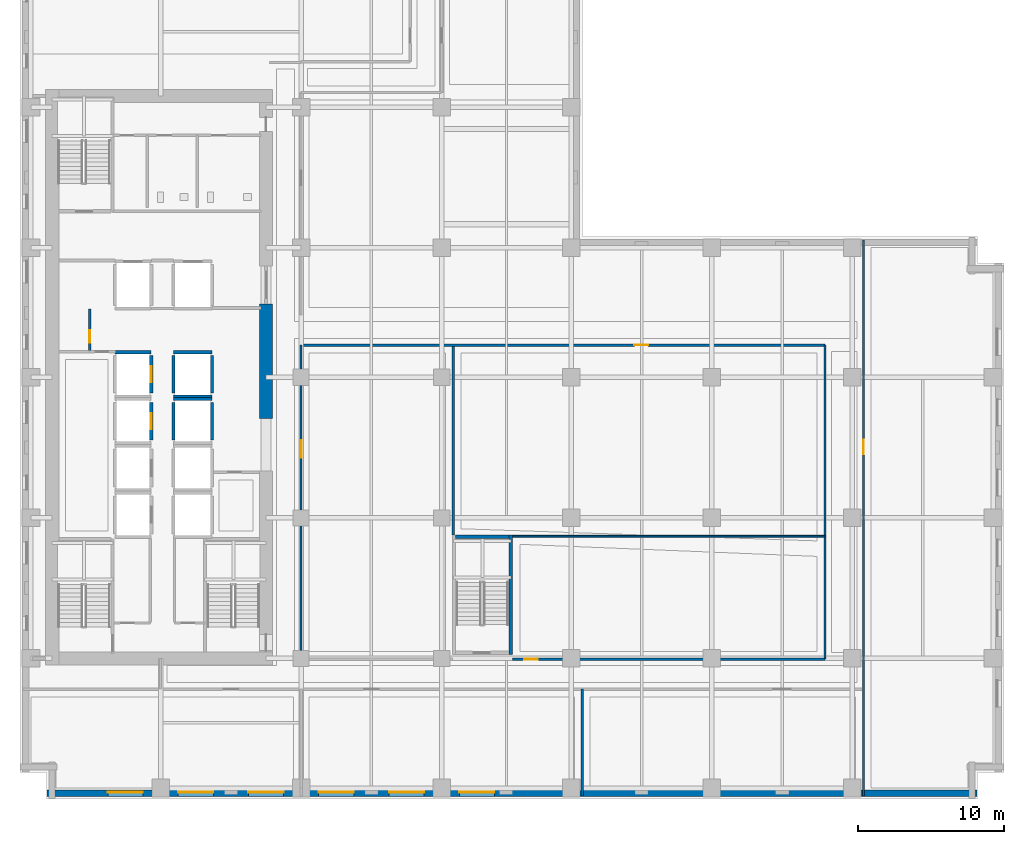
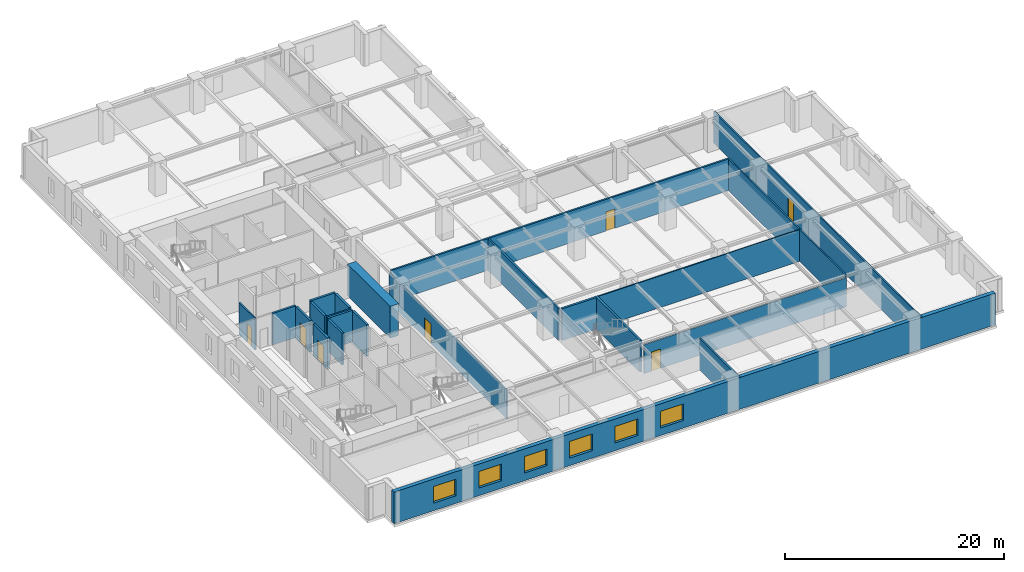
# One storey, part 5 of 13: 23 walls, 7 doors, 6 windows, 13 openings.
"""IFC4 building model written with IfcOpenShell, lengths in metres."""

from ifc_helpers import new_model, si_unit, direction, frame, frame_2d, origin, place, context, subcontext, project, spatial, rectangle, extrude, material, layer, layer_set, type_object, element, fill, save


model = new_model("IFC4")

# Units and contexts
model_context = context("Model", 3, precision=1e-05, world=origin(), true_north=direction((0.0, 1.0)))
body_context = subcontext(model_context, "Body", "Model", "MODEL_VIEW")
ifc_project = project(units=[si_unit("LENGTHUNIT", "METRE"), si_unit("AREAUNIT", "SQUARE_METRE"), si_unit("VOLUMEUNIT", "CUBIC_METRE"), si_unit("PLANEANGLEUNIT", "RADIAN"), si_unit("MASSUNIT", "GRAM", prefix="KILO")], contexts=[model_context])

# Site, building, storey
site_placement = place(None, origin())
site = spatial("IfcSite", under=ifc_project, at=site_placement, CompositionType="ELEMENT")
building_placement = place(site_placement, origin())
building = spatial("IfcBuilding", under=site, at=building_placement, Name="Norrvale University Quadrangle", CompositionType="ELEMENT")
storey_placement = place(building_placement, frame((0.0, 0.0, 54.60009765625)))
storey = spatial("IfcBuildingStorey", under=building, at=storey_placement, Name="L13", CompositionType="ELEMENT", Elevation=54.60009765625)

# Wall, openings, windows
ifc_material_1 = material(Name="Buff Norman Clay Brick Masonry", Category="masonry")
ifc_layer_1 = layer(ifc_material_1, 0.419921875, Name="Buff Norman Clay Brick Masonry")
ifc_layer_set_1 = layer_set([ifc_layer_1], Name="Buff Norman Clay Brick Masonry")
wall_type_1 = type_object("IfcWallType", Name="Wall Buff Brick 420", PredefinedType="SOLIDWALL", material=ifc_layer_set_1)
wall_1_placement = place(storey_placement, frame((1.840087890625, 0.389892578125, 0.0), z_axis=(0.0, 0.0, 1.0), x_axis=(1.0, 0.0, 0.0)))
wall_1 = element("IfcWall", 1, at=wall_1_placement, inside=storey, type_object=wall_type_1, Name="Exterior Brick Facade Wall L13-01.1", PredefinedType="SOLIDWALL", context=body_context, shape_type="SweptSolid", body=[
    extrude(rectangle(XDim=63.52001953125, YDim=0.419921875, at=frame_2d((31.760009765625, 0.0))), origin(), (0.0, 0.0, 1.0), 3.539794921875),
])
opening_1_placement = place(wall_1_placement, frame((4.159912109375, 0.0, 0.85009765625)))
opening_1 = element("IfcOpeningElement", 2, at=opening_1_placement, cuts=wall_1, Name="Opening W02", PredefinedType="OPENING", context=body_context, shape_type="SweptSolid", body=[
    extrude(rectangle(XDim=2.39990234375, YDim=1.85009765625, at=frame_2d((1.199951171875, 0.925048828125))), frame((0.0, 0.221923828125, 0.0), z_axis=(0.0, -1.0, 0.0), x_axis=(1.0, 0.0, 0.0)), (0.0, 0.0, 1.0), 0.44384765625),
])
opening_2_placement = place(wall_1_placement, frame((8.9599609375, 0.0, 0.85009765625)))
opening_2 = element("IfcOpeningElement", 3, at=opening_2_placement, cuts=wall_1, Name="Opening W02", PredefinedType="OPENING", context=body_context, shape_type="SweptSolid", body=[
    extrude(rectangle(XDim=2.39990234375, YDim=1.85009765625, at=frame_2d((1.199951171875, 0.925048828125))), frame((0.0, 0.221923828125, 0.0), z_axis=(0.0, -1.0, 0.0), x_axis=(1.0, 0.0, 0.0)), (0.0, 0.0, 1.0), 0.44384765625),
])
opening_3_placement = place(wall_1_placement, frame((13.760009765625, 0.0, 0.85009765625)))
opening_3 = element("IfcOpeningElement", 4, at=opening_3_placement, cuts=wall_1, Name="Opening W02", PredefinedType="OPENING", context=body_context, shape_type="SweptSolid", body=[
    extrude(rectangle(XDim=2.39990234375, YDim=1.85009765625, at=frame_2d((1.199951171875, 0.925048828125))), frame((0.0, 0.221923828125, 0.0), z_axis=(0.0, -1.0, 0.0), x_axis=(1.0, 0.0, 0.0)), (0.0, 0.0, 1.0), 0.44384765625),
])
opening_4_placement = place(wall_1_placement, frame((18.56005859375, 0.0, 0.85009765625)))
opening_4 = element("IfcOpeningElement", 5, at=opening_4_placement, cuts=wall_1, Name="Opening W02", PredefinedType="OPENING", context=body_context, shape_type="SweptSolid", body=[
    extrude(rectangle(XDim=2.39990234375, YDim=1.85009765625, at=frame_2d((1.199951171875, 0.925048828125))), frame((0.0, 0.221923828125, 0.0), z_axis=(0.0, -1.0, 0.0), x_axis=(1.0, 0.0, 0.0)), (0.0, 0.0, 1.0), 0.44384765625),
])
opening_5_placement = place(wall_1_placement, frame((23.360107421875, 0.0, 0.85009765625)))
opening_5 = element("IfcOpeningElement", 6, at=opening_5_placement, cuts=wall_1, Name="Opening W02", PredefinedType="OPENING", context=body_context, shape_type="SweptSolid", body=[
    extrude(rectangle(XDim=2.39990234375, YDim=1.85009765625, at=frame_2d((1.199951171875, 0.925048828125))), frame((0.0, 0.221923828125, 0.0), z_axis=(0.0, -1.0, 0.0), x_axis=(1.0, 0.0, 0.0)), (0.0, 0.0, 1.0), 0.44384765625),
])
opening_6_placement = place(wall_1_placement, frame((28.159912109375, 0.0, 0.85009765625)))
opening_6 = element("IfcOpeningElement", 7, at=opening_6_placement, cuts=wall_1, Name="Opening W02", PredefinedType="OPENING", context=body_context, shape_type="SweptSolid", body=[
    extrude(rectangle(XDim=2.39990234375, YDim=1.85009765625, at=frame_2d((1.199951171875, 0.925048828125))), frame((0.0, 0.221923828125, 0.0), z_axis=(0.0, -1.0, 0.0), x_axis=(1.0, 0.0, 0.0)), (0.0, 0.0, 1.0), 0.44384765625),
])
ifc_material_2 = material(Name="Triple Low-E Argon Glazing", Category="glass")
window_type = type_object("IfcWindowType", Name="Window Academic 2400x2300", PartitioningType="TRIPLE_PANEL_VERTICAL", PredefinedType="WINDOW", material=ifc_material_2)
window_1_placement = place(opening_1_placement, origin())
window_1 = element("IfcWindow", 8, at=window_1_placement, inside=storey, type_object=window_type, Name="Window Academic 2400x2300 WIN-L13-E01-1-01", OverallHeight=1.85009765625, OverallWidth=2.39990234375, PartitioningType="TRIPLE_PANEL_VERTICAL", PredefinedType="WINDOW", context=body_context, shape_type="SweptSolid", body=[
    extrude(rectangle(XDim=2.39990234375, YDim=1.85009765625, at=frame_2d((1.199951171875, 0.925048828125))), frame((0.0, 0.110107421875, 0.0), z_axis=(0.0, -1.0, 0.0), x_axis=(1.0, 0.0, 0.0)), (0.0, 0.0, 1.0), 0.06005859375),
])
fill(opening_1, window_1)
window_2_placement = place(opening_2_placement, origin())
window_2 = element("IfcWindow", 9, at=window_2_placement, inside=storey, type_object=window_type, Name="Window Academic 2400x2300 WIN-L13-E01-1-02", OverallHeight=1.85009765625, OverallWidth=2.39990234375, PartitioningType="TRIPLE_PANEL_VERTICAL", PredefinedType="WINDOW", context=body_context, shape_type="SweptSolid", body=[
    extrude(rectangle(XDim=2.39990234375, YDim=1.85009765625, at=frame_2d((1.199951171875, 0.925048828125))), frame((0.0, 0.110107421875, 0.0), z_axis=(0.0, -1.0, 0.0), x_axis=(1.0, 0.0, 0.0)), (0.0, 0.0, 1.0), 0.06005859375),
])
fill(opening_2, window_2)
window_3_placement = place(opening_3_placement, origin())
window_3 = element("IfcWindow", 10, at=window_3_placement, inside=storey, type_object=window_type, Name="Window Academic 2400x2300 WIN-L13-E01-1-03", OverallHeight=1.85009765625, OverallWidth=2.39990234375, PartitioningType="TRIPLE_PANEL_VERTICAL", PredefinedType="WINDOW", context=body_context, shape_type="SweptSolid", body=[
    extrude(rectangle(XDim=2.39990234375, YDim=1.85009765625, at=frame_2d((1.199951171875, 0.925048828125))), frame((0.0, 0.110107421875, 0.0), z_axis=(0.0, -1.0, 0.0), x_axis=(1.0, 0.0, 0.0)), (0.0, 0.0, 1.0), 0.06005859375),
])
fill(opening_3, window_3)
window_4_placement = place(opening_4_placement, origin())
window_4 = element("IfcWindow", 11, at=window_4_placement, inside=storey, type_object=window_type, Name="Window Academic 2400x2300 WIN-L13-E01-1-04", OverallHeight=1.85009765625, OverallWidth=2.39990234375, PartitioningType="TRIPLE_PANEL_VERTICAL", PredefinedType="WINDOW", context=body_context, shape_type="SweptSolid", body=[
    extrude(rectangle(XDim=2.39990234375, YDim=1.85009765625, at=frame_2d((1.199951171875, 0.925048828125))), frame((0.0, 0.110107421875, 0.0), z_axis=(0.0, -1.0, 0.0), x_axis=(1.0, 0.0, 0.0)), (0.0, 0.0, 1.0), 0.06005859375),
])
fill(opening_4, window_4)
window_5_placement = place(opening_5_placement, origin())
window_5 = element("IfcWindow", 12, at=window_5_placement, inside=storey, type_object=window_type, Name="Window Academic 2400x2300 WIN-L13-E01-1-05", OverallHeight=1.85009765625, OverallWidth=2.39990234375, PartitioningType="TRIPLE_PANEL_VERTICAL", PredefinedType="WINDOW", context=body_context, shape_type="SweptSolid", body=[
    extrude(rectangle(XDim=2.39990234375, YDim=1.85009765625, at=frame_2d((1.199951171875, 0.925048828125))), frame((0.0, 0.110107421875, 0.0), z_axis=(0.0, -1.0, 0.0), x_axis=(1.0, 0.0, 0.0)), (0.0, 0.0, 1.0), 0.06005859375),
])
fill(opening_5, window_5)
window_6_placement = place(opening_6_placement, origin())
window_6 = element("IfcWindow", 13, at=window_6_placement, inside=storey, type_object=window_type, Name="Window Academic 2400x2300 WIN-L13-E01-1-06", OverallHeight=1.85009765625, OverallWidth=2.39990234375, PartitioningType="TRIPLE_PANEL_VERTICAL", PredefinedType="WINDOW", context=body_context, shape_type="SweptSolid", body=[
    extrude(rectangle(XDim=2.39990234375, YDim=1.85009765625, at=frame_2d((1.199951171875, 0.925048828125))), frame((0.0, 0.110107421875, 0.0), z_axis=(0.0, -1.0, 0.0), x_axis=(1.0, 0.0, 0.0)), (0.0, 0.0, 1.0), 0.06005859375),
])
fill(opening_6, window_6)

# Walls
ifc_material_3 = material(Name="Concrete C80/95", Category="concrete")
ifc_layer_2 = layer(ifc_material_3, 0.89990234375, Name="Concrete C80/95")
ifc_layer_set_2 = layer_set([ifc_layer_2], Name="Concrete C80/95")
wall_type_2 = type_object("IfcWallType", Name="Wall Core 900", PredefinedType="SHEAR", material=ifc_layer_set_2)
wall_2_placement = place(storey_placement, frame((16.800048828125, 26.0, 0.0), z_axis=(0.0, 0.0, 1.0), x_axis=(0.0, 1.0, 0.0)))
element("IfcWall", 14, at=wall_2_placement, inside=storey, type_object=wall_type_2, Name="Tower Core Shear Wall L13-E2", PredefinedType="SHEAR", context=body_context, shape_type="SweptSolid", body=[
    extrude(rectangle(XDim=7.800048828125, YDim=0.89990234375, at=frame_2d((3.89990234375, 0.0))), origin(), (0.0, 0.0, 1.0), 3.539794921875),
])
ifc_material_4 = material(Name="Standard Academic Gypsum Partition")
ifc_layer_3 = layer(ifc_material_4, 0.125, Name="Standard Academic Gypsum Partition")
ifc_layer_set_3 = layer_set([ifc_layer_3], Name="Standard Academic Gypsum Partition")
wall_type_3 = type_object("IfcWallType", Name="Wall Gypsum Academic 125", PredefinedType="PARTITIONING", material=ifc_layer_set_3)
wall_3_placement = place(storey_placement, frame((33.6201171875, 17.93994140625, 0.0), z_axis=(0.0, 0.0, 1.0), x_axis=(1.0, 0.0, 0.0)))
element("IfcWall", 15, at=wall_3_placement, inside=storey, type_object=wall_type_3, Name="Interior Partition WL-L13-ISLH", PredefinedType="PARTITIONING", context=body_context, shape_type="SweptSolid", body=[
    extrude(rectangle(XDim=21.35498046875, YDim=0.125, at=frame_2d((10.677490234375, 0.0))), origin(), (0.0, 0.0, 1.0), 3.539794921875),
])

# Wall, opening, door
ifc_material_5 = material(Name="Fire-Rated Gypsum Stud Partition")
ifc_layer_4 = layer(ifc_material_5, 0.14990234375, Name="Fire-Rated Gypsum Stud Partition")
ifc_layer_set_4 = layer_set([ifc_layer_4], Name="Fire-Rated Gypsum Stud Partition")
wall_type_4 = type_object("IfcWallType", Name="Wall Gypsum Corridor 150", PredefinedType="PARTITIONING", material=ifc_layer_set_4)
wall_4_placement = place(storey_placement, frame((4.760009765625, 30.550048828125, 0.0), z_axis=(0.0, 0.0, 1.0), x_axis=(0.0, 1.0, 0.0)))
wall_4 = element("IfcWall", 16, at=wall_4_placement, inside=storey, type_object=wall_type_4, Name="Interior Partition WL-L13-WME-E", PredefinedType="PARTITIONING", context=body_context, shape_type="SweptSolid", body=[
    extrude(rectangle(XDim=2.929931640625, YDim=0.14990234375, at=frame_2d((1.46484375, 0.0))), origin(), (0.0, 0.0, 1.0), 3.539794921875),
])
opening_7_placement = place(wall_4_placement, frame((0.60009765625, 0.0, 0.0)))
opening_7 = element("IfcOpeningElement", 17, at=opening_7_placement, cuts=wall_4, Name="Opening D10", PredefinedType="OPENING", context=body_context, shape_type="SweptSolid", body=[
    extrude(rectangle(XDim=0.85009765625, YDim=2.10009765625, at=frame_2d((0.425048828125, 1.050048828125))), frame((0.0, 0.0869140625, 0.0), z_axis=(0.0, -1.0, 0.0), x_axis=(1.0, 0.0, 0.0)), (0.0, 0.0, 1.0), 0.173828125),
])
ifc_material_6 = material(Name="Hollow Steel 350W Riser Fire Door", Category="steel")
door_type_1 = type_object("IfcDoorType", Name="Door Riser 850x2100", OperationType="NOTDEFINED", PredefinedType="DOOR", material=ifc_material_6)
door_1_placement = place(opening_7_placement, origin())
door_1 = element("IfcDoor", 18, at=door_1_placement, inside=storey, type_object=door_type_1, Name="Door Riser 850x2100 DR-L13-WME", OperationType="SINGLE_SWING_LEFT", OverallHeight=2.10009765625, OverallWidth=0.85009765625, PredefinedType="DOOR", context=body_context, shape_type="SweptSolid", body=[
    extrude(rectangle(XDim=0.85009765625, YDim=2.10009765625, at=frame_2d((0.425048828125, 1.050048828125))), frame((0.0, 0.02490234375, 0.0), z_axis=(0.0, -1.0, 0.0), x_axis=(1.0, 0.0, 0.0)), (0.0, 0.0, 1.0), 0.050048828125),
])
fill(opening_7, door_1)

wall_5_placement = place(storey_placement, frame((57.60009765625, 0.219970703125, 0.0), z_axis=(0.0, 0.0, 1.0), x_axis=(0.0, 1.0, 0.0)))
wall_5 = element("IfcWall", 19, at=wall_5_placement, inside=storey, type_object=wall_type_4, Name="Interior Partition WL-L13-ECW", PredefinedType="PARTITIONING", context=body_context, shape_type="SweptSolid", body=[
    extrude(rectangle(XDim=37.9599609375, YDim=0.14990234375, at=frame_2d((18.97998046875, 0.0))), origin(), (0.0, 0.0, 1.0), 3.539794921875),
])
opening_8_placement = place(wall_5_placement, frame((23.330078125, 0.0, 0.0)))
opening_8 = element("IfcOpeningElement", 20, at=opening_8_placement, cuts=wall_5, Name="Opening D04", PredefinedType="OPENING", context=body_context, shape_type="SweptSolid", body=[
    extrude(rectangle(XDim=1.0, YDim=2.199951171875, at=frame_2d((0.5, 1.10009765625))), frame((0.0, 0.0869140625, 0.0), z_axis=(0.0, -1.0, 0.0), x_axis=(1.0, 0.0, 0.0)), (0.0, 0.0, 1.0), 0.173828125),
])
ifc_material_7 = material(Name="Solid-Core Oak Fire Door", Category="wood")
door_type_2 = type_object("IfcDoorType", Name="Door Corridor 1000x2200", OperationType="NOTDEFINED", PredefinedType="DOOR", material=ifc_material_7)
door_2_placement = place(opening_8_placement, origin())
door_2 = element("IfcDoor", 21, at=door_2_placement, inside=storey, type_object=door_type_2, Name="Door Corridor 1000x2200 DR-L13-E01", OperationType="SINGLE_SWING_RIGHT", OverallHeight=2.199951171875, OverallWidth=1.0, PredefinedType="DOOR", context=body_context, shape_type="SweptSolid", body=[
    extrude(rectangle(XDim=1.0, YDim=2.199951171875, at=frame_2d((0.5, 1.10009765625))), frame((0.0, 0.02490234375, 0.0), z_axis=(0.0, -1.0, 0.0), x_axis=(1.0, 0.0, 0.0)), (0.0, 0.0, 1.0), 0.050048828125),
])
fill(opening_8, door_2)

wall_6_placement = place(storey_placement, frame((19.199951171875, 9.550048828125, 0.0), z_axis=(0.0, 0.0, 1.0), x_axis=(0.0, 1.0, 0.0)))
wall_6 = element("IfcWall", 22, at=wall_6_placement, inside=storey, type_object=wall_type_4, Name="Interior Partition WL-L13-ISLW", PredefinedType="PARTITIONING", context=body_context, shape_type="SweptSolid", body=[
    extrude(rectangle(XDim=21.449951171875, YDim=0.14990234375, at=frame_2d((10.72509765625, 0.0))), origin(), (0.0, 0.0, 1.0), 3.23193359375),
])
opening_9_placement = place(wall_6_placement, frame((13.75, 0.0, 0.0)))
opening_9 = element("IfcOpeningElement", 23, at=opening_9_placement, cuts=wall_6, Name="Opening D05", PredefinedType="OPENING", context=body_context, shape_type="SweptSolid", body=[
    extrude(rectangle(XDim=1.199951171875, YDim=2.199951171875, at=frame_2d((0.60009765625, 1.10009765625))), frame((0.0, 0.0869140625, 0.0), z_axis=(0.0, -1.0, 0.0), x_axis=(1.0, 0.0, 0.0)), (0.0, 0.0, 1.0), 0.173828125),
])
ifc_material_8 = material(Name="Acoustic Oak Classroom Door", Category="wood")
door_type_3 = type_object("IfcDoorType", Name="Door Classroom 1200x2200", OperationType="NOTDEFINED", PredefinedType="DOOR", material=ifc_material_8)
door_3_placement = place(opening_9_placement, origin())
door_3 = element("IfcDoor", 24, at=door_3_placement, inside=storey, type_object=door_type_3, Name="Door Classroom 1200x2200 DR-L13-IW1", OperationType="SINGLE_SWING_LEFT", OverallHeight=2.199951171875, OverallWidth=1.199951171875, PredefinedType="DOOR", context=body_context, shape_type="SweptSolid", body=[
    extrude(rectangle(XDim=1.199951171875, YDim=2.199951171875, at=frame_2d((0.60009765625, 1.10009765625))), frame((0.0, 0.02490234375, 0.0), z_axis=(0.0, -1.0, 0.0), x_axis=(1.0, 0.0, 0.0)), (0.0, 0.0, 1.0), 0.050048828125),
])
fill(opening_9, door_3)

wall_7_placement = place(storey_placement, frame((33.6201171875, 9.550048828125, 0.0), z_axis=(0.0, 0.0, 1.0), x_axis=(1.0, 0.0, 0.0)))
wall_7 = element("IfcWall", 25, at=wall_7_placement, inside=storey, type_object=wall_type_4, Name="Interior Partition WL-L13-ISLS2", PredefinedType="PARTITIONING", context=body_context, shape_type="SweptSolid", body=[
    extrude(rectangle(XDim=21.35498046875, YDim=0.14990234375, at=frame_2d((10.677490234375, 0.0))), origin(), (0.0, 0.0, 1.0), 3.23193359375),
])
opening_10_placement = place(wall_7_placement, frame((0.800048828125, 0.0, 0.0)))
opening_10 = element("IfcOpeningElement", 26, at=opening_10_placement, cuts=wall_7, Name="Opening D07", PredefinedType="OPENING", context=body_context, shape_type="SweptSolid", body=[
    extrude(rectangle(XDim=0.949951171875, YDim=2.14990234375, at=frame_2d((0.47509765625, 1.074951171875))), frame((0.0, 0.0869140625, 0.0), z_axis=(0.0, -1.0, 0.0), x_axis=(1.0, 0.0, 0.0)), (0.0, 0.0, 1.0), 0.173828125),
])
ifc_material_9 = material(Name="Solid-Core Maple Door", Category="wood")
door_type_4 = type_object("IfcDoorType", Name="Door Office 950x2150", OperationType="NOTDEFINED", PredefinedType="DOOR", material=ifc_material_9)
door_4_placement = place(opening_10_placement, origin())
door_4 = element("IfcDoor", 27, at=door_4_placement, inside=storey, type_object=door_type_4, Name="Door Office 950x2150 DR-L13-ISE", OperationType="SINGLE_SWING_LEFT", OverallHeight=2.14990234375, OverallWidth=0.949951171875, PredefinedType="DOOR", context=body_context, shape_type="SweptSolid", body=[
    extrude(rectangle(XDim=0.949951171875, YDim=2.14990234375, at=frame_2d((0.47509765625, 1.074951171875))), frame((0.0, 0.02490234375, 0.0), z_axis=(0.0, -1.0, 0.0), x_axis=(1.0, 0.0, 0.0)), (0.0, 0.0, 1.0), 0.050048828125),
])
fill(opening_10, door_4)

# Walls
wall_8_placement = place(storey_placement, frame((54.97509765625, 9.550048828125, 0.0), z_axis=(0.0, 0.0, 1.0), x_axis=(0.0, 1.0, 0.0)))
element("IfcWall", 28, at=wall_8_placement, inside=storey, type_object=wall_type_4, Name="Interior Partition WL-L13-ISLE", PredefinedType="PARTITIONING", context=body_context, shape_type="SweptSolid", body=[
    extrude(rectangle(XDim=21.449951171875, YDim=0.14990234375, at=frame_2d((10.72509765625, 0.0))), origin(), (0.0, 0.0, 1.0), 3.539794921875),
])
ifc_material_10 = material(Name="Acoustic Double-Stud Gypsum Partition")
ifc_layer_5 = layer(ifc_material_10, 0.179931640625, Name="Acoustic Double-Stud Gypsum Partition")
ifc_layer_set_5 = layer_set([ifc_layer_5], Name="Acoustic Double-Stud Gypsum Partition")
wall_type_5 = type_object("IfcWallType", Name="Wall Gypsum Lecture 180", PredefinedType="PARTITIONING", material=ifc_layer_set_5)
wall_9_placement = place(storey_placement, frame((29.580078125, 18.02490234375, 0.0), z_axis=(0.0, 0.0, 1.0), x_axis=(0.0, 1.0, 0.0)))
element("IfcWall", 29, at=wall_9_placement, inside=storey, type_object=wall_type_5, Name="Interior Partition WL-L13-ISLD", PredefinedType="PARTITIONING", context=body_context, shape_type="SweptSolid", body=[
    extrude(rectangle(XDim=12.880126953125, YDim=0.179931640625, at=frame_2d((6.43994140625, 0.0))), origin(), (0.0, 0.0, 1.0), 3.539794921875),
])

# Wall, opening, door
wall_10_placement = place(storey_placement, frame((19.280029296875, 31.0, 0.0), z_axis=(0.0, 0.0, 1.0), x_axis=(1.0, 0.0, 0.0)))
wall_10 = element("IfcWall", 30, at=wall_10_placement, inside=storey, type_object=wall_type_5, Name="Interior Partition WL-L13-ISLN", PredefinedType="PARTITIONING", context=body_context, shape_type="SweptSolid", body=[
    extrude(rectangle(XDim=35.695068359375, YDim=0.179931640625, at=frame_2d((17.84765625, 0.0))), origin(), (0.0, 0.0, 1.0), 3.539794921875),
])
opening_11_placement = place(wall_10_placement, frame((22.669921875, 0.0, 0.0)))
opening_11 = element("IfcOpeningElement", 31, at=opening_11_placement, cuts=wall_10, Name="Opening D07", PredefinedType="OPENING", context=body_context, shape_type="SweptSolid", body=[
    extrude(rectangle(XDim=0.949951171875, YDim=2.14990234375, at=frame_2d((0.47509765625, 1.074951171875))), frame((0.0, 0.10205078125, 0.0), z_axis=(0.0, -1.0, 0.0), x_axis=(1.0, 0.0, 0.0)), (0.0, 0.0, 1.0), 0.203857421875),
])
door_5_placement = place(opening_11_placement, origin())
door_5 = element("IfcDoor", 32, at=door_5_placement, inside=storey, type_object=door_type_4, Name="Door Office 950x2150 DR-L13-ILH", OperationType="SINGLE_SWING_RIGHT", OverallHeight=2.14990234375, OverallWidth=0.949951171875, PredefinedType="DOOR", context=body_context, shape_type="SweptSolid", body=[
    extrude(rectangle(XDim=0.949951171875, YDim=2.14990234375, at=frame_2d((0.47509765625, 1.074951171875))), frame((0.0, 0.02490234375, 0.0), z_axis=(0.0, -1.0, 0.0), x_axis=(1.0, 0.0, 0.0)), (0.0, 0.0, 1.0), 0.050048828125),
])
fill(opening_11, door_5)

# Walls
ifc_material_11 = material(Name="Sanitary Chase Gypsum Partition")
ifc_layer_6 = layer(ifc_material_11, 0.1650390625, Name="Sanitary Chase Gypsum Partition")
ifc_layer_set_6 = layer_set([ifc_layer_6], Name="Sanitary Chase Gypsum Partition")
wall_type_6 = type_object("IfcWallType", Name="Wall Gypsum Sanitary 165", PredefinedType="PLUMBINGWALL", material=ifc_layer_set_6)
wall_11_placement = place(storey_placement, frame((38.39990234375, 0.219970703125, 0.0), z_axis=(0.0, 0.0, 1.0), x_axis=(0.0, 1.0, 0.0)))
element("IfcWall", 33, at=wall_11_placement, inside=storey, type_object=wall_type_6, Name="Interior Partition WL-L13-SP02", PredefinedType="PLUMBINGWALL", context=body_context, shape_type="SweptSolid", body=[
    extrude(rectangle(XDim=7.280029296875, YDim=0.1650390625, at=frame_2d((3.64013671875, 0.0))), origin(), (0.0, 0.0, 1.0), 3.539794921875),
])
ifc_material_12 = material(Name="Concrete Blockwork 20 MPa Fire Shaft", Category="masonry")
ifc_layer_7 = layer(ifc_material_12, 0.219970703125, Name="Concrete Blockwork 20 MPa Fire Shaft")
ifc_layer_set_7 = layer_set([ifc_layer_7], Name="Concrete Blockwork 20 MPa Fire Shaft")
wall_type_7 = type_object("IfcWallType", Name="Wall Shaft 220", PredefinedType="SOLIDWALL", material=ifc_layer_set_7)
wall_12_placement = place(storey_placement, frame((33.510009765625, 9.8798828125, 0.0), z_axis=(0.0, 0.0, 1.0), x_axis=(0.0, 1.0, 0.0)))
element("IfcWall", 34, at=wall_12_placement, inside=storey, type_object=wall_type_7, Name="Stair ST-04 East Shaft Wall L13", PredefinedType="SOLIDWALL", context=body_context, shape_type="SweptSolid", body=[
    extrude(rectangle(XDim=8.14013671875, YDim=0.219970703125, at=frame_2d((4.070068359375, 0.0))), origin(), (0.0, 0.0, 1.0), 3.539794921875),
])
wall_13_placement = place(storey_placement, frame((29.75, 17.909912109375, 0.0), z_axis=(0.0, 0.0, 1.0), x_axis=(1.0, 0.0, 0.0)))
element("IfcWall", 35, at=wall_13_placement, inside=storey, type_object=wall_type_7, Name="Stair ST-04 North Shaft Wall L13", PredefinedType="SOLIDWALL", context=body_context, shape_type="SweptSolid", body=[
    extrude(rectangle(XDim=3.64990234375, YDim=0.219970703125, at=frame_2d((1.824951171875, 0.0))), origin(), (0.0, 0.0, 1.0), 3.539794921875),
])

# Wall, opening, door
wall_14_placement = place(storey_placement, frame((8.9599609375, 24.510009765625, 0.0), z_axis=(0.0, 0.0, 1.0), x_axis=(0.0, 1.0, 0.0)))
wall_14 = element("IfcWall", 36, at=wall_14_placement, inside=storey, type_object=wall_type_7, Name="Hoistway PL-03 East Wall L13", PredefinedType="SOLIDWALL", context=body_context, shape_type="SweptSolid", body=[
    extrude(rectangle(XDim=2.580078125, YDim=0.219970703125, at=frame_2d((1.2900390625, 0.0))), origin(), (0.0, 0.0, 1.0), 3.539794921875),
])
opening_12_placement = place(wall_14_placement, frame((0.739990234375, 0.0, 0.0)))
opening_12 = element("IfcOpeningElement", 37, at=opening_12_placement, cuts=wall_14, Name="Opening LD1", PredefinedType="OPENING", context=body_context, shape_type="SweptSolid", body=[
    extrude(rectangle(XDim=1.10009765625, YDim=2.199951171875, at=frame_2d((0.550048828125, 1.10009765625))), frame((0.0, 0.1220703125, 0.0), z_axis=(0.0, -1.0, 0.0), x_axis=(1.0, 0.0, 0.0)), (0.0, 0.0, 1.0), 0.243896484375),
])
ifc_material_13 = material(Name="Stainless Steel 316L Lift Landing Door", Category="steel")
door_type_5 = type_object("IfcDoorType", Name="Door Lift Landing 1100x2200", OperationType="DOUBLE_DOOR_SLIDING", PredefinedType="DOOR", material=ifc_material_13)
door_6_placement = place(opening_12_placement, origin())
door_6 = element("IfcDoor", 38, at=door_6_placement, inside=storey, type_object=door_type_5, Name="Elevator Landing Door DR-L13-PL-03", OperationType="DOUBLE_DOOR_SLIDING", OverallHeight=2.199951171875, OverallWidth=1.10009765625, PredefinedType="DOOR", context=body_context, shape_type="SweptSolid", body=[
    extrude(rectangle(XDim=1.10009765625, YDim=2.199951171875, at=frame_2d((0.550048828125, 1.10009765625))), frame((0.0, 0.02490234375, 0.0), z_axis=(0.0, -1.0, 0.0), x_axis=(1.0, 0.0, 0.0)), (0.0, 0.0, 1.0), 0.050048828125),
])
fill(opening_12, door_6)

wall_15_placement = place(storey_placement, frame((8.9599609375, 27.7099609375, 0.0), z_axis=(0.0, 0.0, 1.0), x_axis=(0.0, 1.0, 0.0)))
wall_15 = element("IfcWall", 39, at=wall_15_placement, inside=storey, type_object=wall_type_7, Name="Hoistway PL-04 East Wall L13", PredefinedType="SOLIDWALL", context=body_context, shape_type="SweptSolid", body=[
    extrude(rectangle(XDim=2.580078125, YDim=0.219970703125, at=frame_2d((1.2900390625, 0.0))), origin(), (0.0, 0.0, 1.0), 3.539794921875),
])
opening_13_placement = place(wall_15_placement, frame((0.739990234375, 0.0, 0.0)))
opening_13 = element("IfcOpeningElement", 40, at=opening_13_placement, cuts=wall_15, Name="Opening LD1", PredefinedType="OPENING", context=body_context, shape_type="SweptSolid", body=[
    extrude(rectangle(XDim=1.10009765625, YDim=2.199951171875, at=frame_2d((0.550048828125, 1.10009765625))), frame((0.0, 0.1220703125, 0.0), z_axis=(0.0, -1.0, 0.0), x_axis=(1.0, 0.0, 0.0)), (0.0, 0.0, 1.0), 0.243896484375),
])
door_7_placement = place(opening_13_placement, origin())
door_7 = element("IfcDoor", 41, at=door_7_placement, inside=storey, type_object=door_type_5, Name="Elevator Landing Door DR-L13-PL-04", OperationType="DOUBLE_DOOR_SLIDING", OverallHeight=2.199951171875, OverallWidth=1.10009765625, PredefinedType="DOOR", context=body_context, shape_type="SweptSolid", body=[
    extrude(rectangle(XDim=1.10009765625, YDim=2.199951171875, at=frame_2d((0.550048828125, 1.10009765625))), frame((0.0, 0.02490234375, 0.0), z_axis=(0.0, -1.0, 0.0), x_axis=(1.0, 0.0, 0.0)), (0.0, 0.0, 1.0), 0.050048828125),
])
fill(opening_13, door_7)

# Walls
wall_16_placement = place(storey_placement, frame((6.489990234375, 30.510009765625, 0.0), z_axis=(0.0, 0.0, 1.0), x_axis=(1.0, 0.0, 0.0)))
element("IfcWall", 42, at=wall_16_placement, inside=storey, type_object=wall_type_7, Name="Hoistway PL-04 North Wall L13", PredefinedType="SOLIDWALL", context=body_context, shape_type="SweptSolid", body=[
    extrude(rectangle(XDim=2.469970703125, YDim=0.219970703125, at=frame_2d((1.23486328125, 0.0))), origin(), (0.0, 0.0, 1.0), 3.539794921875),
])
for number, where, z_axis, x_axis, name in (
    (43, (10.489990234375, 24.510009765625, 0.0), (0.0, 0.0, 1.0), (0.0, 1.0, 0.0), "Hoistway PL-07 West Wall L13"),
    (44, (13.110107421875, 24.510009765625, 0.0), (0.0, 0.0, 1.0), (0.0, 1.0, 0.0), "Hoistway PL-07 East Wall L13"),
):
    element("IfcWall", number, at=place(storey_placement, frame(where, z_axis=z_axis, x_axis=x_axis)), inside=storey, type_object=wall_type_7, Name=name, PredefinedType="SOLIDWALL", context=body_context, shape_type="SweptSolid", body=[
        extrude(rectangle(XDim=2.580078125, YDim=0.219970703125, at=frame_2d((1.2900390625, 0.0))), origin(), (0.0, 0.0, 1.0), 3.539794921875),
    ])
wall_17_placement = place(storey_placement, frame((10.489990234375, 27.31005859375, 0.0), z_axis=(0.0, 0.0, 1.0), x_axis=(1.0, 0.0, 0.0)))
element("IfcWall", 45, at=wall_17_placement, inside=storey, type_object=wall_type_7, Name="Hoistway PL-07 North Wall L13", PredefinedType="SOLIDWALL", context=body_context, shape_type="SweptSolid", body=[
    extrude(rectangle(XDim=2.6201171875, YDim=0.219970703125, at=frame_2d((1.31005859375, 0.0))), origin(), (0.0, 0.0, 1.0), 3.539794921875),
])
for number, where, z_axis, x_axis, name in (
    (46, (10.489990234375, 27.7099609375, 0.0), (0.0, 0.0, 1.0), (0.0, 1.0, 0.0), "Hoistway PL-08 West Wall L13"),
    (47, (13.110107421875, 27.7099609375, 0.0), (0.0, 0.0, 1.0), (0.0, 1.0, 0.0), "Hoistway PL-08 East Wall L13"),
):
    element("IfcWall", number, at=place(storey_placement, frame(where, z_axis=z_axis, x_axis=x_axis)), inside=storey, type_object=wall_type_7, Name=name, PredefinedType="SOLIDWALL", context=body_context, shape_type="SweptSolid", body=[
        extrude(rectangle(XDim=2.580078125, YDim=0.219970703125, at=frame_2d((1.2900390625, 0.0))), origin(), (0.0, 0.0, 1.0), 3.539794921875),
    ])
for number, where, z_axis, x_axis, name in (
    (48, (10.489990234375, 27.489990234375, 0.0), (0.0, 0.0, 1.0), (1.0, 0.0, 0.0), "Hoistway PL-08 South Wall L13"),
    (49, (10.489990234375, 30.510009765625, 0.0), (0.0, 0.0, 1.0), (1.0, 0.0, 0.0), "Hoistway PL-08 North Wall L13"),
):
    element("IfcWall", number, at=place(storey_placement, frame(where, z_axis=z_axis, x_axis=x_axis)), inside=storey, type_object=wall_type_7, Name=name, PredefinedType="SOLIDWALL", context=body_context, shape_type="SweptSolid", body=[
        extrude(rectangle(XDim=2.6201171875, YDim=0.219970703125, at=frame_2d((1.31005859375, 0.0))), origin(), (0.0, 0.0, 1.0), 3.539794921875),
    ])

save(model, "model.ifc")
